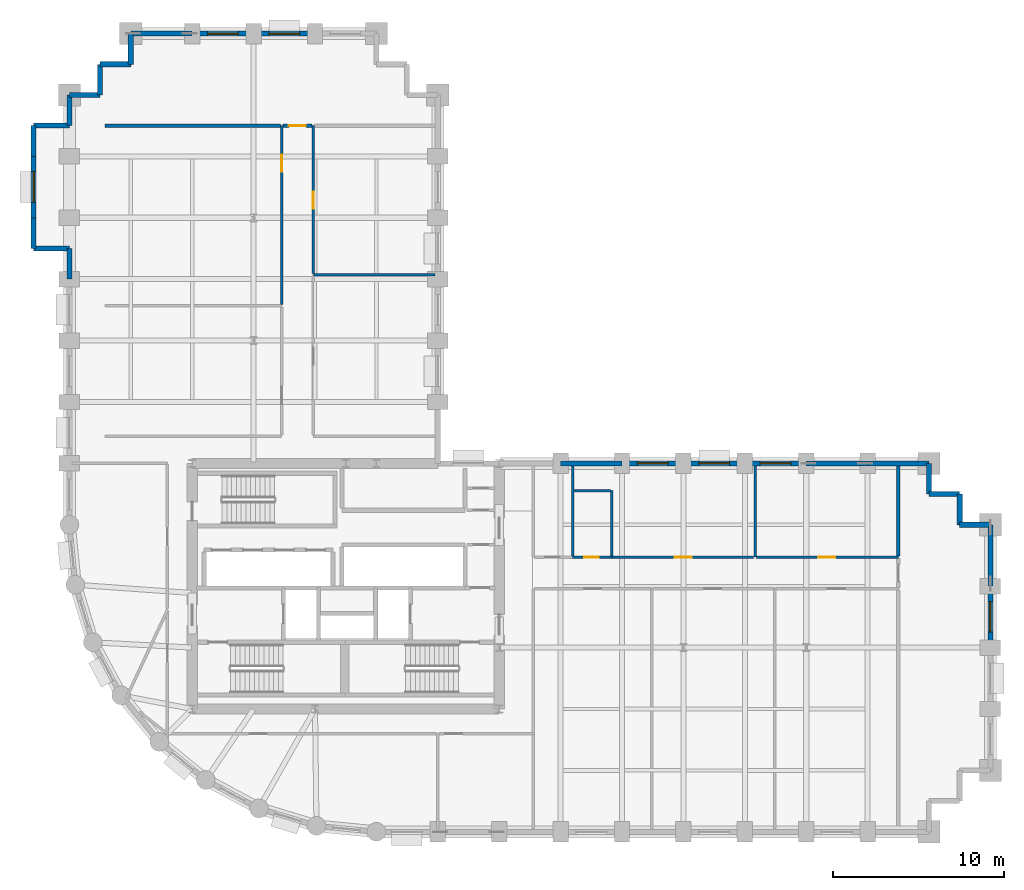
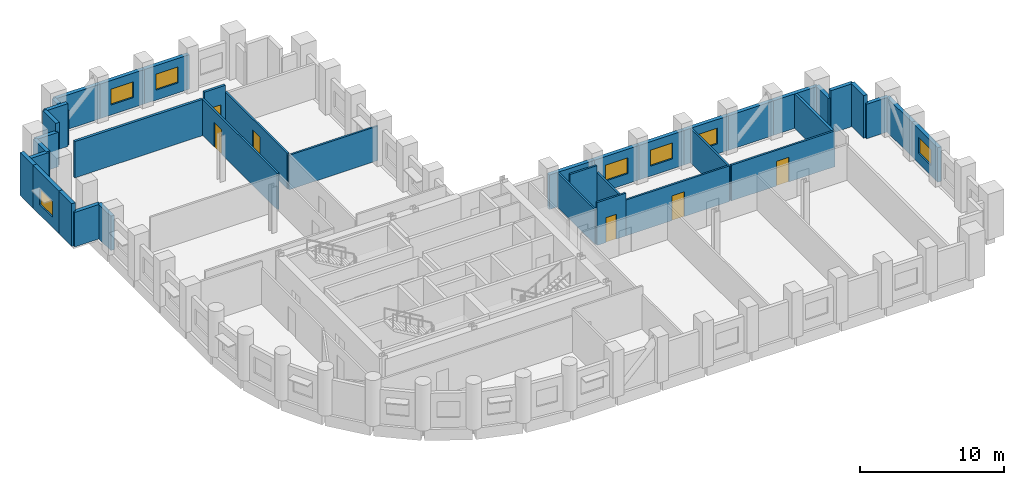
# One storey, part 8 of 11: 39 walls, 7 windows, 6 doors, 13 openings.
"""IFC4 building model written with IfcOpenShell, lengths in metres."""

from ifc_helpers import new_model, si_unit, direction, frame, frame_2d, origin, place, context, subcontext, project, spatial, rectangle, extrude, material, layer, layer_set, type_object, element, fill, save


model = new_model("IFC4")

# Units and contexts
model_context = context("Model", 3, precision=1e-05, world=origin(), true_north=direction((0.0, 1.0)))
body_context = subcontext(model_context, "Body", "Model", "MODEL_VIEW")
ifc_project = project(units=[si_unit("LENGTHUNIT", "METRE"), si_unit("AREAUNIT", "SQUARE_METRE"), si_unit("VOLUMEUNIT", "CUBIC_METRE"), si_unit("PLANEANGLEUNIT", "RADIAN"), si_unit("MASSUNIT", "GRAM", prefix="KILO")], contexts=[model_context])

# Site, building, storey
site_placement = place(None, origin())
site = spatial("IfcSite", under=ifc_project, at=site_placement, CompositionType="ELEMENT")
building_placement = place(site_placement, origin())
building = spatial("IfcBuilding", under=site, at=building_placement, Name="Solnavia Interchange Tower", CompositionType="ELEMENT")
storey_placement = place(building_placement, frame((0.0, 0.0, 47.39990234375)))
storey = spatial("IfcBuildingStorey", under=building, at=storey_placement, Name="L11", CompositionType="ELEMENT", Elevation=47.39990234375)

# Walls
ifc_material_1 = material(Name="Gypsum Acoustic Twin-Stud & Mineral Wool", Category="gypsum")
ifc_layer_1 = layer(ifc_material_1, 0.199951171875)
ifc_layer_set_1 = layer_set([ifc_layer_1], Name="Gypsum Acoustic Twin-Stud & Mineral Wool")
wall_type_1 = type_object("IfcWallType", Name="Wall-ApartmentParty-200", PredefinedType="PARTITIONING", material=ifc_layer_set_1)
wall_1_placement = place(storey_placement, frame((55.800048828125, 19.779052734375, 0.0), z_axis=(0.0, 0.0, 1.0), x_axis=(0.0, 1.0, 0.0)))
element("IfcWall", 1, at=wall_1_placement, inside=storey, type_object=wall_type_1, Name="PTW-L11-25 Interior partition wall", PredefinedType="PARTITIONING", context=body_context, shape_type="SweptSolid", body=[
    extrude(rectangle(XDim=5.266845703125, YDim=0.199951171875, at=frame_2d((2.63330078125, 0.0))), origin(), (0.0, 0.0, 1.0), 2.93017578125),
])
wall_2_placement = place(storey_placement, frame((9.300048828125, 45.0, 0.0), z_axis=(0.0, 0.0, 1.0), x_axis=(1.0, 0.0, 0.0)))
element("IfcWall", 2, at=wall_2_placement, inside=storey, type_object=wall_type_1, Name="PTW-L11-35 Interior partition wall", PredefinedType="PARTITIONING", context=body_context, shape_type="SweptSolid", body=[
    extrude(rectangle(XDim=10.27099609375, YDim=0.199951171875, at=frame_2d((5.135498046875, 0.0))), origin(), (0.0, 0.0, 1.0), 3.080078125),
])

# Wall, opening, door
wall_3_placement = place(storey_placement, frame((19.72900390625, 45.0, 0.0), z_axis=(0.0, 0.0, 1.0), x_axis=(1.0, 0.0, 0.0)))
wall_3 = element("IfcWall", 3, at=wall_3_placement, inside=storey, type_object=wall_type_1, Name="PTW-L11-37 Interior partition wall", PredefinedType="PARTITIONING", context=body_context, shape_type="SweptSolid", body=[
    extrude(rectangle(XDim=1.69189453125, YDim=0.199951171875, at=frame_2d((0.845947265625, 0.0))), origin(), (0.0, 0.0, 1.0), 3.635009765625),
])
opening_1_placement = place(wall_3_placement, frame((0.339111328125, 0.0, 0.0)))
opening_1 = element("IfcOpeningElement", 4, at=opening_1_placement, cuts=wall_3, Name="Opening DR-06", PredefinedType="OPENING", context=body_context, shape_type="SweptSolid", body=[
    extrude(rectangle(XDim=1.0, YDim=2.10009765625, at=frame_2d((0.5, 1.050048828125))), frame((0.0, 0.10986328125, 0.0), z_axis=(0.0, -1.0, 0.0), x_axis=(1.0, 0.0, 0.0)), (0.0, 0.0, 1.0), 0.219970703125),
])
ifc_material_2 = material(Name="Engineered Timber Acoustic Fire Door", Category="wood")
door_type_1 = type_object("IfcDoorType", Name="Door-FlatEntry-1000x2100", OperationType="SINGLE_SWING_LEFT", PredefinedType="DOOR", material=ifc_material_2)
door_1_placement = place(opening_1_placement, origin())
door_1 = element("IfcDoor", 5, at=door_1_placement, inside=storey, type_object=door_type_1, Name="DR-L11-17 Interior room door", OperationType="SINGLE_SWING_LEFT", OverallHeight=2.10009765625, OverallWidth=1.0, PredefinedType="DOOR", context=body_context, shape_type="SweptSolid", body=[
    extrude(rectangle(XDim=1.0, YDim=2.10009765625, at=frame_2d((0.5, 1.050048828125))), frame((0.0, 0.02490234375, 0.0), z_axis=(0.0, -1.0, 0.0), x_axis=(1.0, 0.0, 0.0)), (0.0, 0.0, 1.0), 0.050048828125),
])
fill(opening_1, door_1)

# Wall, opening, window
ifc_material_3 = material(Name="Concrete C40/50", Category="concrete")
ifc_layer_2 = layer(ifc_material_3, 0.300048828125)
ifc_layer_set_2 = layer_set([ifc_layer_2], Name="Concrete C40/50")
wall_type_2 = type_object("IfcWallType", Name="Wall-ExtSpandrel-300", PredefinedType="STANDARD", material=ifc_layer_set_2)
wall_4_placement = place(storey_placement, frame((61.199951171875, 18.0, 0.0), z_axis=(0.0, 0.0, 1.0), x_axis=(0.0, -1.0, 0.0)))
wall_4 = element("IfcWall", 6, at=wall_4_placement, inside=storey, type_object=wall_type_2, Name="EXW-L11-16 Exterior precast spandrel wall", PredefinedType="STANDARD", context=body_context, shape_type="SweptSolid", body=[
    extrude(rectangle(XDim=3.60009765625, YDim=0.300048828125, at=frame_2d((1.800048828125, 0.0))), origin(), (0.0, 0.0, 1.0), 2.93017578125),
])
opening_2_placement = place(wall_4_placement, frame((0.89990234375, 0.0, 0.85009765625)))
opening_2 = element("IfcOpeningElement", 7, at=opening_2_placement, cuts=wall_4, Name="Opening WIN-02", PredefinedType="OPENING", context=body_context, shape_type="SweptSolid", body=[
    extrude(rectangle(XDim=1.800048828125, YDim=1.35009765625, at=frame_2d((0.89990234375, 0.675048828125))), frame((0.0, 0.16015625, 0.0), z_axis=(0.0, -1.0, 0.0), x_axis=(1.0, 0.0, 0.0)), (0.0, 0.0, 1.0), 0.320068359375),
])
ifc_material_4 = material(Name="Thermal-Break Aluminium & Low-E Glass", Category="aluminium")
window_type = type_object("IfcWindowType", Name="Window-Ribbon-1800x1350", PartitioningType="SINGLE_PANEL", PredefinedType="WINDOW", material=ifc_material_4)
window_1_placement = place(opening_2_placement, origin())
window_1 = element("IfcWindow", 8, at=window_1_placement, inside=storey, type_object=window_type, Name="WIN-L11-16 Facade ribbon window", OverallHeight=1.35009765625, OverallWidth=1.800048828125, PartitioningType="SINGLE_PANEL", PredefinedType="WINDOW", context=body_context, shape_type="SweptSolid", body=[
    extrude(rectangle(XDim=1.800048828125, YDim=1.35009765625, at=frame_2d((0.89990234375, 0.675048828125))), frame((0.0, 0.030029296875, 0.0), z_axis=(0.0, -1.0, 0.0), x_axis=(1.0, 0.0, 0.0)), (0.0, 0.0, 1.0), 0.06005859375),
])
fill(opening_2, window_1)

# Walls
wall_5_placement = place(storey_placement, frame((61.199951171875, 21.60009765625, 0.0), z_axis=(0.0, 0.0, 1.0), x_axis=(0.0, -1.0, 0.0)))
element("IfcWall", 9, at=wall_5_placement, inside=storey, type_object=wall_type_2, Name="EXW-L11-17 Exterior precast spandrel wall", PredefinedType="STANDARD", context=body_context, shape_type="SweptSolid", body=[
    extrude(rectangle(XDim=3.60009765625, YDim=0.300048828125, at=frame_2d((1.800048828125, 0.0))), origin(), (0.0, 0.0, 1.0), 2.93017578125),
])
wall_6_placement = place(storey_placement, frame((61.199951171875, 21.60009765625, 0.0), z_axis=(0.0, 0.0, 1.0), x_axis=(-1.0, 0.0, 0.0)))
element("IfcWall", 10, at=wall_6_placement, inside=storey, type_object=wall_type_2, Name="EXW-L11-18 Exterior precast spandrel wall", PredefinedType="STANDARD", context=body_context, shape_type="SweptSolid", body=[
    extrude(rectangle(XDim=1.800048828125, YDim=0.300048828125, at=frame_2d((0.89990234375, 0.0))), origin(), (0.0, 0.0, 1.0), 2.93017578125),
])
for number, where, z_axis, x_axis, name in (
    (11, (59.39990234375, 23.39990234375, 0.0), (0.0, 0.0, 1.0), (0.0, -1.0, 0.0), "EXW-L11-19 Exterior precast spandrel wall"),
    (12, (57.60009765625, 23.39990234375, 0.0), (0.0, 0.0, 1.0), (1.0, 0.0, 0.0), "EXW-L11-20 Exterior precast spandrel wall"),
):
    element("IfcWall", number, at=place(storey_placement, frame(where, z_axis=z_axis, x_axis=x_axis)), inside=storey, type_object=wall_type_2, Name=name, PredefinedType="STANDARD", context=body_context, shape_type="SweptSolid", body=[
        extrude(rectangle(XDim=1.7998046875, YDim=0.300048828125, at=frame_2d((0.89990234375, 0.0))), origin(), (0.0, 0.0, 1.0), 3.635009765625),
    ])
wall_7_placement = place(storey_placement, frame((57.60009765625, 25.199951171875, 0.0), z_axis=(0.0, 0.0, 1.0), x_axis=(0.0, -1.0, 0.0)))
element("IfcWall", 13, at=wall_7_placement, inside=storey, type_object=wall_type_2, Name="EXW-L11-21 Exterior precast spandrel wall", PredefinedType="STANDARD", context=body_context, shape_type="SweptSolid", body=[
    extrude(rectangle(XDim=1.800048828125, YDim=0.300048828125, at=frame_2d((0.89990234375, 0.0))), origin(), (0.0, 0.0, 1.0), 2.93017578125),
])
for number, where, z_axis, x_axis, name in (
    (14, (54.0, 25.199951171875, 0.0), (0.0, 0.0, 1.0), (1.0, 0.0, 0.0), "EXW-L11-22 Exterior precast spandrel wall"),
    (15, (50.39990234375, 25.199951171875, 0.0), (0.0, 0.0, 1.0), (1.0, 0.0, 0.0), "EXW-L11-23 Exterior precast spandrel wall"),
):
    element("IfcWall", number, at=place(storey_placement, frame(where, z_axis=z_axis, x_axis=x_axis)), inside=storey, type_object=wall_type_2, Name=name, PredefinedType="STANDARD", context=body_context, shape_type="SweptSolid", body=[
        extrude(rectangle(XDim=3.60009765625, YDim=0.300048828125, at=frame_2d((1.800048828125, 0.0))), origin(), (0.0, 0.0, 1.0), 2.93017578125),
    ])

# Wall, opening, window
wall_8_placement = place(storey_placement, frame((46.800048828125, 25.199951171875, 0.0), z_axis=(0.0, 0.0, 1.0), x_axis=(1.0, 0.0, 0.0)))
wall_8 = element("IfcWall", 16, at=wall_8_placement, inside=storey, type_object=wall_type_2, Name="EXW-L11-24 Exterior precast spandrel wall", PredefinedType="STANDARD", context=body_context, shape_type="SweptSolid", body=[
    extrude(rectangle(XDim=3.599853515625, YDim=0.300048828125, at=frame_2d((1.7998046875, 0.0))), origin(), (0.0, 0.0, 1.0), 2.93017578125),
])
opening_3_placement = place(wall_8_placement, frame((0.89990234375, 0.0, 0.85009765625)))
opening_3 = element("IfcOpeningElement", 17, at=opening_3_placement, cuts=wall_8, Name="Opening WIN-02", PredefinedType="OPENING", context=body_context, shape_type="SweptSolid", body=[
    extrude(rectangle(XDim=1.800048828125, YDim=1.35009765625, at=frame_2d((0.89990234375, 0.675048828125))), frame((0.0, 0.16015625, 0.0), z_axis=(0.0, -1.0, 0.0), x_axis=(1.0, 0.0, 0.0)), (0.0, 0.0, 1.0), 0.320068359375),
])
window_2_placement = place(opening_3_placement, origin())
window_2 = element("IfcWindow", 18, at=window_2_placement, inside=storey, type_object=window_type, Name="WIN-L11-24 Facade ribbon window", OverallHeight=1.35009765625, OverallWidth=1.800048828125, PartitioningType="SINGLE_PANEL", PredefinedType="WINDOW", context=body_context, shape_type="SweptSolid", body=[
    extrude(rectangle(XDim=1.800048828125, YDim=1.35009765625, at=frame_2d((0.89990234375, 0.675048828125))), frame((0.0, 0.030029296875, 0.0), z_axis=(0.0, -1.0, 0.0), x_axis=(1.0, 0.0, 0.0)), (0.0, 0.0, 1.0), 0.06005859375),
])
fill(opening_3, window_2)

wall_9_placement = place(storey_placement, frame((43.199951171875, 25.199951171875, 0.0), z_axis=(0.0, 0.0, 1.0), x_axis=(1.0, 0.0, 0.0)))
wall_9 = element("IfcWall", 19, at=wall_9_placement, inside=storey, type_object=wall_type_2, Name="EXW-L11-25 Exterior precast spandrel wall", PredefinedType="STANDARD", context=body_context, shape_type="SweptSolid", body=[
    extrude(rectangle(XDim=3.60009765625, YDim=0.300048828125, at=frame_2d((1.800048828125, 0.0))), origin(), (0.0, 0.0, 1.0), 2.93017578125),
])
opening_4_placement = place(wall_9_placement, frame((0.89990234375, 0.0, 0.85009765625)))
opening_4 = element("IfcOpeningElement", 20, at=opening_4_placement, cuts=wall_9, Name="Opening WIN-02", PredefinedType="OPENING", context=body_context, shape_type="SweptSolid", body=[
    extrude(rectangle(XDim=1.800048828125, YDim=1.35009765625, at=frame_2d((0.89990234375, 0.675048828125))), frame((0.0, 0.16015625, 0.0), z_axis=(0.0, -1.0, 0.0), x_axis=(1.0, 0.0, 0.0)), (0.0, 0.0, 1.0), 0.320068359375),
])
window_3_placement = place(opening_4_placement, origin())
window_3 = element("IfcWindow", 21, at=window_3_placement, inside=storey, type_object=window_type, Name="WIN-L11-25 Facade ribbon window", OverallHeight=1.35009765625, OverallWidth=1.800048828125, PartitioningType="SINGLE_PANEL", PredefinedType="WINDOW", context=body_context, shape_type="SweptSolid", body=[
    extrude(rectangle(XDim=1.800048828125, YDim=1.35009765625, at=frame_2d((0.89990234375, 0.675048828125))), frame((0.0, 0.030029296875, 0.0), z_axis=(0.0, -1.0, 0.0), x_axis=(1.0, 0.0, 0.0)), (0.0, 0.0, 1.0), 0.06005859375),
])
fill(opening_4, window_3)

wall_10_placement = place(storey_placement, frame((39.60009765625, 25.199951171875, 0.0), z_axis=(0.0, 0.0, 1.0), x_axis=(1.0, 0.0, 0.0)))
wall_10 = element("IfcWall", 22, at=wall_10_placement, inside=storey, type_object=wall_type_2, Name="EXW-L11-26 Exterior precast spandrel wall", PredefinedType="STANDARD", context=body_context, shape_type="SweptSolid", body=[
    extrude(rectangle(XDim=3.599853515625, YDim=0.300048828125, at=frame_2d((1.7998046875, 0.0))), origin(), (0.0, 0.0, 1.0), 2.93017578125),
])
opening_5_placement = place(wall_10_placement, frame((0.89990234375, 0.0, 0.85009765625)))
opening_5 = element("IfcOpeningElement", 23, at=opening_5_placement, cuts=wall_10, Name="Opening WIN-02", PredefinedType="OPENING", context=body_context, shape_type="SweptSolid", body=[
    extrude(rectangle(XDim=1.800048828125, YDim=1.35009765625, at=frame_2d((0.89990234375, 0.675048828125))), frame((0.0, 0.16015625, 0.0), z_axis=(0.0, -1.0, 0.0), x_axis=(1.0, 0.0, 0.0)), (0.0, 0.0, 1.0), 0.320068359375),
])
window_4_placement = place(opening_5_placement, origin())
window_4 = element("IfcWindow", 24, at=window_4_placement, inside=storey, type_object=window_type, Name="WIN-L11-26 Facade ribbon window", OverallHeight=1.35009765625, OverallWidth=1.800048828125, PartitioningType="SINGLE_PANEL", PredefinedType="WINDOW", context=body_context, shape_type="SweptSolid", body=[
    extrude(rectangle(XDim=1.800048828125, YDim=1.35009765625, at=frame_2d((0.89990234375, 0.675048828125))), frame((0.0, 0.030029296875, 0.0), z_axis=(0.0, -1.0, 0.0), x_axis=(1.0, 0.0, 0.0)), (0.0, 0.0, 1.0), 0.06005859375),
])
fill(opening_5, window_4)

# Wall
wall_11_placement = place(storey_placement, frame((36.0, 25.199951171875, 0.0), z_axis=(0.0, 0.0, 1.0), x_axis=(1.0, 0.0, 0.0)))
element("IfcWall", 25, at=wall_11_placement, inside=storey, type_object=wall_type_2, Name="EXW-L11-27 Exterior precast spandrel wall", PredefinedType="STANDARD", context=body_context, shape_type="SweptSolid", body=[
    extrude(rectangle(XDim=3.60009765625, YDim=0.300048828125, at=frame_2d((1.800048828125, 0.0))), origin(), (0.0, 0.0, 1.0), 2.93017578125),
])

# Wall, opening, window
wall_12_placement = place(storey_placement, frame((18.0, 50.39990234375, 0.0), z_axis=(0.0, 0.0, 1.0), x_axis=(1.0, 0.0, 0.0)))
wall_12 = element("IfcWall", 26, at=wall_12_placement, inside=storey, type_object=wall_type_2, Name="EXW-L11-41 Exterior precast spandrel wall", PredefinedType="STANDARD", context=body_context, shape_type="SweptSolid", body=[
    extrude(rectangle(XDim=3.60009765625, YDim=0.300048828125, at=frame_2d((1.800048828125, 0.0))), origin(), (0.0, 0.0, 1.0), 2.93017578125),
])
opening_6_placement = place(wall_12_placement, frame((0.89990234375, 0.0, 0.85009765625)))
opening_6 = element("IfcOpeningElement", 27, at=opening_6_placement, cuts=wall_12, Name="Opening WIN-02", PredefinedType="OPENING", context=body_context, shape_type="SweptSolid", body=[
    extrude(rectangle(XDim=1.800048828125, YDim=1.35009765625, at=frame_2d((0.89990234375, 0.675048828125))), frame((0.0, 0.16015625, 0.0), z_axis=(0.0, -1.0, 0.0), x_axis=(1.0, 0.0, 0.0)), (0.0, 0.0, 1.0), 0.320068359375),
])
window_5_placement = place(opening_6_placement, origin())
window_5 = element("IfcWindow", 28, at=window_5_placement, inside=storey, type_object=window_type, Name="WIN-L11-41 Facade ribbon window", OverallHeight=1.35009765625, OverallWidth=1.800048828125, PartitioningType="SINGLE_PANEL", PredefinedType="WINDOW", context=body_context, shape_type="SweptSolid", body=[
    extrude(rectangle(XDim=1.800048828125, YDim=1.35009765625, at=frame_2d((0.89990234375, 0.675048828125))), frame((0.0, 0.030029296875, 0.0), z_axis=(0.0, -1.0, 0.0), x_axis=(1.0, 0.0, 0.0)), (0.0, 0.0, 1.0), 0.06005859375),
])
fill(opening_6, window_5)

wall_13_placement = place(storey_placement, frame((14.39990234375, 50.39990234375, 0.0), z_axis=(0.0, 0.0, 1.0), x_axis=(1.0, 0.0, 0.0)))
wall_13 = element("IfcWall", 29, at=wall_13_placement, inside=storey, type_object=wall_type_2, Name="EXW-L11-42 Exterior precast spandrel wall", PredefinedType="STANDARD", context=body_context, shape_type="SweptSolid", body=[
    extrude(rectangle(XDim=3.60009765625, YDim=0.300048828125, at=frame_2d((1.800048828125, 0.0))), origin(), (0.0, 0.0, 1.0), 2.93017578125),
])
opening_7_placement = place(wall_13_placement, frame((0.89990234375, 0.0, 0.85009765625)))
opening_7 = element("IfcOpeningElement", 30, at=opening_7_placement, cuts=wall_13, Name="Opening WIN-02", PredefinedType="OPENING", context=body_context, shape_type="SweptSolid", body=[
    extrude(rectangle(XDim=1.800048828125, YDim=1.35009765625, at=frame_2d((0.89990234375, 0.675048828125))), frame((0.0, 0.16015625, 0.0), z_axis=(0.0, -1.0, 0.0), x_axis=(1.0, 0.0, 0.0)), (0.0, 0.0, 1.0), 0.320068359375),
])
window_6_placement = place(opening_7_placement, origin())
window_6 = element("IfcWindow", 31, at=window_6_placement, inside=storey, type_object=window_type, Name="WIN-L11-42 Facade ribbon window", OverallHeight=1.35009765625, OverallWidth=1.800048828125, PartitioningType="SINGLE_PANEL", PredefinedType="WINDOW", context=body_context, shape_type="SweptSolid", body=[
    extrude(rectangle(XDim=1.800048828125, YDim=1.35009765625, at=frame_2d((0.89990234375, 0.675048828125))), frame((0.0, 0.030029296875, 0.0), z_axis=(0.0, -1.0, 0.0), x_axis=(1.0, 0.0, 0.0)), (0.0, 0.0, 1.0), 0.06005859375),
])
fill(opening_7, window_6)

# Walls
wall_14_placement = place(storey_placement, frame((10.800048828125, 50.39990234375, 0.0), z_axis=(0.0, 0.0, 1.0), x_axis=(1.0, 0.0, 0.0)))
element("IfcWall", 32, at=wall_14_placement, inside=storey, type_object=wall_type_2, Name="EXW-L11-43 Exterior precast spandrel wall", PredefinedType="STANDARD", context=body_context, shape_type="SweptSolid", body=[
    extrude(rectangle(XDim=3.599853515625, YDim=0.300048828125, at=frame_2d((1.7998046875, 0.0))), origin(), (0.0, 0.0, 1.0), 2.93017578125),
])
wall_15_placement = place(storey_placement, frame((10.800048828125, 48.60009765625, 0.0), z_axis=(0.0, 0.0, 1.0), x_axis=(0.0, 1.0, 0.0)))
element("IfcWall", 33, at=wall_15_placement, inside=storey, type_object=wall_type_2, Name="EXW-L11-44 Exterior precast spandrel wall", PredefinedType="STANDARD", context=body_context, shape_type="SweptSolid", body=[
    extrude(rectangle(XDim=1.7998046875, YDim=0.300048828125, at=frame_2d((0.89990234375, 0.0))), origin(), (0.0, 0.0, 1.0), 2.93017578125),
])
for number, where, z_axis, x_axis, name in (
    (34, (9.0, 48.60009765625, 0.0), (0.0, 0.0, 1.0), (1.0, 0.0, 0.0), "EXW-L11-45 Exterior precast spandrel wall"),
    (35, (9.0, 46.800048828125, 0.0), (0.0, 0.0, 1.0), (0.0, 1.0, 0.0), "EXW-L11-46 Exterior precast spandrel wall"),
):
    element("IfcWall", number, at=place(storey_placement, frame(where, z_axis=z_axis, x_axis=x_axis)), inside=storey, type_object=wall_type_2, Name=name, PredefinedType="STANDARD", context=body_context, shape_type="SweptSolid", body=[
        extrude(rectangle(XDim=1.800048828125, YDim=0.300048828125, at=frame_2d((0.89990234375, 0.0))), origin(), (0.0, 0.0, 1.0), 3.635009765625),
    ])
for number, where, z_axis, x_axis, name in (
    (36, (7.199951171875, 46.800048828125, 0.0), (0.0, 0.0, 1.0), (1.0, 0.0, 0.0), "EXW-L11-47 Exterior precast spandrel wall"),
    (37, (7.199951171875, 45.0, 0.0), (0.0, 0.0, 1.0), (0.0, 1.0, 0.0), "EXW-L11-48 Exterior precast spandrel wall"),
):
    element("IfcWall", number, at=place(storey_placement, frame(where, z_axis=z_axis, x_axis=x_axis)), inside=storey, type_object=wall_type_2, Name=name, PredefinedType="STANDARD", context=body_context, shape_type="SweptSolid", body=[
        extrude(rectangle(XDim=1.800048828125, YDim=0.300048828125, at=frame_2d((0.89990234375, 0.0))), origin(), (0.0, 0.0, 1.0), 2.93017578125),
    ])
wall_16_placement = place(storey_placement, frame((5.10009765625, 45.0, 0.0), z_axis=(0.0, 0.0, 1.0), x_axis=(1.0, 0.0, 0.0)))
element("IfcWall", 38, at=wall_16_placement, inside=storey, type_object=wall_type_2, Name="EXW-L11-49 Exterior precast spandrel wall", PredefinedType="STANDARD", context=body_context, shape_type="SweptSolid", body=[
    extrude(rectangle(XDim=2.099853515625, YDim=0.300048828125, at=frame_2d((1.0498046875, 0.0))), origin(), (0.0, 0.0, 1.0), 2.93017578125),
])
wall_17_placement = place(storey_placement, frame((5.10009765625, 43.199951171875, 0.0), z_axis=(0.0, 0.0, 1.0), x_axis=(0.0, 1.0, 0.0)))
element("IfcWall", 39, at=wall_17_placement, inside=storey, type_object=wall_type_2, Name="EXW-L11-50 Exterior precast spandrel wall", PredefinedType="STANDARD", context=body_context, shape_type="SweptSolid", body=[
    extrude(rectangle(XDim=1.800048828125, YDim=0.300048828125, at=frame_2d((0.89990234375, 0.0))), origin(), (0.0, 0.0, 1.0), 3.635009765625),
])

# Wall, opening, window
wall_18_placement = place(storey_placement, frame((5.10009765625, 39.60009765625, 0.0), z_axis=(0.0, 0.0, 1.0), x_axis=(0.0, 1.0, 0.0)))
wall_18 = element("IfcWall", 40, at=wall_18_placement, inside=storey, type_object=wall_type_2, Name="EXW-L11-51 Exterior precast spandrel wall", PredefinedType="STANDARD", context=body_context, shape_type="SweptSolid", body=[
    extrude(rectangle(XDim=3.599853515625, YDim=0.300048828125, at=frame_2d((1.7998046875, 0.0))), origin(), (0.0, 0.0, 1.0), 3.635009765625),
])
opening_8_placement = place(wall_18_placement, frame((0.89990234375, 0.0, 0.85009765625)))
opening_8 = element("IfcOpeningElement", 41, at=opening_8_placement, cuts=wall_18, Name="Opening WIN-02", PredefinedType="OPENING", context=body_context, shape_type="SweptSolid", body=[
    extrude(rectangle(XDim=1.800048828125, YDim=1.35009765625, at=frame_2d((0.89990234375, 0.675048828125))), frame((0.0, 0.16015625, 0.0), z_axis=(0.0, -1.0, 0.0), x_axis=(1.0, 0.0, 0.0)), (0.0, 0.0, 1.0), 0.320068359375),
])
window_7_placement = place(opening_8_placement, origin())
window_7 = element("IfcWindow", 42, at=window_7_placement, inside=storey, type_object=window_type, Name="WIN-L11-51 Facade ribbon window", OverallHeight=1.35009765625, OverallWidth=1.800048828125, PartitioningType="SINGLE_PANEL", PredefinedType="WINDOW", context=body_context, shape_type="SweptSolid", body=[
    extrude(rectangle(XDim=1.800048828125, YDim=1.35009765625, at=frame_2d((0.89990234375, 0.675048828125))), frame((0.0, 0.030029296875, 0.0), z_axis=(0.0, -1.0, 0.0), x_axis=(1.0, 0.0, 0.0)), (0.0, 0.0, 1.0), 0.06005859375),
])
fill(opening_8, window_7)

# Walls
wall_19_placement = place(storey_placement, frame((5.10009765625, 37.800048828125, 0.0), z_axis=(0.0, 0.0, 1.0), x_axis=(0.0, 1.0, 0.0)))
element("IfcWall", 43, at=wall_19_placement, inside=storey, type_object=wall_type_2, Name="EXW-L11-52 Exterior precast spandrel wall", PredefinedType="STANDARD", context=body_context, shape_type="SweptSolid", body=[
    extrude(rectangle(XDim=1.800048828125, YDim=0.300048828125, at=frame_2d((0.89990234375, 0.0))), origin(), (0.0, 0.0, 1.0), 3.635009765625),
])
wall_20_placement = place(storey_placement, frame((5.10009765625, 37.800048828125, 0.0), z_axis=(0.0, 0.0, 1.0), x_axis=(1.0, 0.0, 0.0)))
element("IfcWall", 44, at=wall_20_placement, inside=storey, type_object=wall_type_2, Name="EXW-L11-53 Exterior precast spandrel wall", PredefinedType="STANDARD", context=body_context, shape_type="SweptSolid", body=[
    extrude(rectangle(XDim=2.099853515625, YDim=0.300048828125, at=frame_2d((1.0498046875, 0.0))), origin(), (0.0, 0.0, 1.0), 2.93017578125),
])
wall_21_placement = place(storey_placement, frame((7.199951171875, 36.0, 0.0), z_axis=(0.0, 0.0, 1.0), x_axis=(0.0, 1.0, 0.0)))
element("IfcWall", 45, at=wall_21_placement, inside=storey, type_object=wall_type_2, Name="EXW-L11-54 Exterior precast spandrel wall", PredefinedType="STANDARD", context=body_context, shape_type="SweptSolid", body=[
    extrude(rectangle(XDim=1.800048828125, YDim=0.300048828125, at=frame_2d((0.89990234375, 0.0))), origin(), (0.0, 0.0, 1.0), 2.93017578125),
])
ifc_material_5 = material(Name="Gypsum Plasterboard & Steel Stud", Category="steel")
ifc_layer_3 = layer(ifc_material_5, 0.14990234375)
ifc_layer_set_3 = layer_set([ifc_layer_3], Name="Gypsum Plasterboard & Steel Stud")
wall_type_3 = type_object("IfcWallType", Name="Wall-Partition-150", PredefinedType="PARTITIONING", material=ifc_layer_set_3)
wall_22_placement = place(storey_placement, frame((47.39990234375, 19.699951171875, 0.0), z_axis=(0.0, 0.0, 1.0), x_axis=(0.0, 1.0, 0.0)))
element("IfcWall", 46, at=wall_22_placement, inside=storey, type_object=wall_type_3, Name="PTW-L11-21 Interior partition wall", PredefinedType="PARTITIONING", context=body_context, shape_type="SweptSolid", body=[
    extrude(rectangle(XDim=5.345947265625, YDim=0.14990234375, at=frame_2d((2.6728515625, 0.0))), origin(), (0.0, 0.0, 1.0), 2.93017578125),
])

# Wall, opening, door
wall_23_placement = place(storey_placement, frame((39.0, 19.699951171875, 0.0), z_axis=(0.0, 0.0, 1.0), x_axis=(1.0, 0.0, 0.0)))
wall_23 = element("IfcWall", 47, at=wall_23_placement, inside=storey, type_object=wall_type_3, Name="PTW-L11-22 Interior partition wall", PredefinedType="PARTITIONING", context=body_context, shape_type="SweptSolid", body=[
    extrude(rectangle(XDim=8.321044921875, YDim=0.14990234375, at=frame_2d((4.16064453125, 0.0))), origin(), (0.0, 0.0, 1.0), 3.0400390625),
])
opening_9_placement = place(wall_23_placement, frame((3.699951171875, 0.0, 0.0)))
opening_9 = element("IfcOpeningElement", 48, at=opening_9_placement, cuts=wall_23, Name="Opening DR-07", PredefinedType="OPENING", context=body_context, shape_type="SweptSolid", body=[
    extrude(rectangle(XDim=1.0, YDim=2.10009765625, at=frame_2d((0.5, 1.050048828125))), frame((0.0, 0.0849609375, 0.0), z_axis=(0.0, -1.0, 0.0), x_axis=(1.0, 0.0, 0.0)), (0.0, 0.0, 1.0), 0.169921875),
])
ifc_material_6 = material(Name="Timber & Acoustic Glazed Office Door", Category="wood")
door_type_2 = type_object("IfcDoorType", Name="Door-Office-1000x2100", OperationType="SINGLE_SWING_RIGHT", PredefinedType="DOOR", material=ifc_material_6)
door_2_placement = place(opening_9_placement, origin())
door_2 = element("IfcDoor", 49, at=door_2_placement, inside=storey, type_object=door_type_2, Name="DR-L11-10 Interior room door", OperationType="SINGLE_SWING_RIGHT", OverallHeight=2.10009765625, OverallWidth=1.0, PredefinedType="DOOR", context=body_context, shape_type="SweptSolid", body=[
    extrude(rectangle(XDim=1.0, YDim=2.10009765625, at=frame_2d((0.5, 1.050048828125))), frame((0.0, 0.02490234375, 0.0), z_axis=(0.0, -1.0, 0.0), x_axis=(1.0, 0.0, 0.0)), (0.0, 0.0, 1.0), 0.050048828125),
])
fill(opening_9, door_2)

wall_24_placement = place(storey_placement, frame((47.47900390625, 19.699951171875, 0.0), z_axis=(0.0, 0.0, 1.0), x_axis=(1.0, 0.0, 0.0)))
wall_24 = element("IfcWall", 50, at=wall_24_placement, inside=storey, type_object=wall_type_3, Name="PTW-L11-23 Interior partition wall", PredefinedType="PARTITIONING", context=body_context, shape_type="SweptSolid", body=[
    extrude(rectangle(XDim=8.321044921875, YDim=0.14990234375, at=frame_2d((4.16064453125, 0.0))), origin(), (0.0, 0.0, 1.0), 3.0400390625),
])
opening_10_placement = place(wall_24_placement, frame((3.62109375, 0.0, 0.0)))
opening_10 = element("IfcOpeningElement", 51, at=opening_10_placement, cuts=wall_24, Name="Opening DR-07", PredefinedType="OPENING", context=body_context, shape_type="SweptSolid", body=[
    extrude(rectangle(XDim=1.0, YDim=2.10009765625, at=frame_2d((0.5, 1.050048828125))), frame((0.0, 0.0849609375, 0.0), z_axis=(0.0, -1.0, 0.0), x_axis=(1.0, 0.0, 0.0)), (0.0, 0.0, 1.0), 0.169921875),
])
door_3_placement = place(opening_10_placement, origin())
door_3 = element("IfcDoor", 52, at=door_3_placement, inside=storey, type_object=door_type_2, Name="DR-L11-11 Interior room door", OperationType="SINGLE_SWING_RIGHT", OverallHeight=2.10009765625, OverallWidth=1.0, PredefinedType="DOOR", context=body_context, shape_type="SweptSolid", body=[
    extrude(rectangle(XDim=1.0, YDim=2.10009765625, at=frame_2d((0.5, 1.050048828125))), frame((0.0, 0.02490234375, 0.0), z_axis=(0.0, -1.0, 0.0), x_axis=(1.0, 0.0, 0.0)), (0.0, 0.0, 1.0), 0.050048828125),
])
fill(opening_10, door_3)

wall_25_placement = place(storey_placement, frame((19.64990234375, 34.51904296875, 0.0), z_axis=(0.0, 0.0, 1.0), x_axis=(0.0, 1.0, 0.0)))
wall_25 = element("IfcWall", 53, at=wall_25_placement, inside=storey, type_object=wall_type_3, Name="PTW-L11-30 Interior partition wall", PredefinedType="PARTITIONING", context=body_context, shape_type="SweptSolid", body=[
    extrude(rectangle(XDim=10.48095703125, YDim=0.14990234375, at=frame_2d((5.240478515625, 0.0))), origin(), (0.0, 0.0, 1.0), 3.080078125),
])
opening_11_placement = place(wall_25_placement, frame((7.76708984375, 0.0, 0.0)))
opening_11 = element("IfcOpeningElement", 54, at=opening_11_placement, cuts=wall_25, Name="Opening DR-07", PredefinedType="OPENING", context=body_context, shape_type="SweptSolid", body=[
    extrude(rectangle(XDim=1.0, YDim=2.10009765625, at=frame_2d((0.5, 1.050048828125))), frame((0.0, 0.0849609375, 0.0), z_axis=(0.0, -1.0, 0.0), x_axis=(1.0, 0.0, 0.0)), (0.0, 0.0, 1.0), 0.169921875),
])
door_4_placement = place(opening_11_placement, origin())
door_4 = element("IfcDoor", 55, at=door_4_placement, inside=storey, type_object=door_type_2, Name="DR-L11-14 Interior room door", OperationType="SINGLE_SWING_RIGHT", OverallHeight=2.10009765625, OverallWidth=1.0, PredefinedType="DOOR", context=body_context, shape_type="SweptSolid", body=[
    extrude(rectangle(XDim=1.0, YDim=2.10009765625, at=frame_2d((0.5, 1.050048828125))), frame((0.0, 0.02490234375, 0.0), z_axis=(0.0, -1.0, 0.0), x_axis=(1.0, 0.0, 0.0)), (0.0, 0.0, 1.0), 0.050048828125),
])
fill(opening_11, door_4)

# Wall
wall_26_placement = place(storey_placement, frame((21.5, 36.260009765625, 0.0), z_axis=(0.0, 0.0, 1.0), x_axis=(1.0, 0.0, 0.0)))
element("IfcWall", 56, at=wall_26_placement, inside=storey, type_object=wall_type_3, Name="PTW-L11-32 Interior partition wall", PredefinedType="PARTITIONING", context=body_context, shape_type="SweptSolid", body=[
    extrude(rectangle(XDim=7.14599609375, YDim=0.14990234375, at=frame_2d((3.572998046875, 0.0))), origin(), (0.0, 0.0, 1.0), 2.93017578125),
])

# Wall, opening, door
wall_27_placement = place(storey_placement, frame((21.5, 36.339111328125, 0.0), z_axis=(0.0, 0.0, 1.0), x_axis=(0.0, 1.0, 0.0)))
wall_27 = element("IfcWall", 57, at=wall_27_placement, inside=storey, type_object=wall_type_3, Name="PTW-L11-34 Interior partition wall", PredefinedType="PARTITIONING", context=body_context, shape_type="SweptSolid", body=[
    extrude(rectangle(XDim=8.660888671875, YDim=0.14990234375, at=frame_2d((4.33056640625, 0.0))), origin(), (0.0, 0.0, 1.0), 3.030029296875),
])
opening_12_placement = place(wall_27_placement, frame((3.791015625, 0.0, 0.0)))
opening_12 = element("IfcOpeningElement", 58, at=opening_12_placement, cuts=wall_27, Name="Opening DR-07", PredefinedType="OPENING", context=body_context, shape_type="SweptSolid", body=[
    extrude(rectangle(XDim=1.0, YDim=2.10009765625, at=frame_2d((0.5, 1.050048828125))), frame((0.0, 0.0849609375, 0.0), z_axis=(0.0, -1.0, 0.0), x_axis=(1.0, 0.0, 0.0)), (0.0, 0.0, 1.0), 0.169921875),
])
door_5_placement = place(opening_12_placement, origin())
door_5 = element("IfcDoor", 59, at=door_5_placement, inside=storey, type_object=door_type_2, Name="DR-L11-16 Interior room door", OperationType="SINGLE_SWING_LEFT", OverallHeight=2.10009765625, OverallWidth=1.0, PredefinedType="DOOR", context=body_context, shape_type="SweptSolid", body=[
    extrude(rectangle(XDim=1.0, YDim=2.10009765625, at=frame_2d((0.5, 1.050048828125))), frame((0.0, 0.02490234375, 0.0), z_axis=(0.0, -1.0, 0.0), x_axis=(1.0, 0.0, 0.0)), (0.0, 0.0, 1.0), 0.050048828125),
])
fill(opening_12, door_5)

# Wall
ifc_material_7 = material(Name="Moisture-Resistant Gypsum & Steel Stud", Category="steel")
ifc_layer_4 = layer(ifc_material_7, 0.14990234375)
ifc_layer_set_4 = layer_set([ifc_layer_4], Name="Moisture-Resistant Gypsum & Steel Stud")
wall_type_4 = type_object("IfcWallType", Name="Wall-WetRoom-150", PredefinedType="PARTITIONING", material=ifc_layer_set_4)
wall_28_placement = place(storey_placement, frame((36.699951171875, 19.779052734375, 0.0), z_axis=(0.0, 0.0, 1.0), x_axis=(0.0, 1.0, 0.0)))
element("IfcWall", 60, at=wall_28_placement, inside=storey, type_object=wall_type_4, Name="PTW-L11-03 Interior partition wall", PredefinedType="PARTITIONING", context=body_context, shape_type="SweptSolid", body=[
    extrude(rectangle(XDim=5.266845703125, YDim=0.14990234375, at=frame_2d((2.63330078125, 0.0))), origin(), (0.0, 0.0, 1.0), 2.93017578125),
])

# Wall, opening, door
wall_29_placement = place(storey_placement, frame((36.699951171875, 19.699951171875, 0.0), z_axis=(0.0, 0.0, 1.0), x_axis=(1.0, 0.0, 0.0)))
wall_29 = element("IfcWall", 61, at=wall_29_placement, inside=storey, type_object=wall_type_4, Name="PTW-L11-04 Interior partition wall", PredefinedType="PARTITIONING", context=body_context, shape_type="SweptSolid", body=[
    extrude(rectangle(XDim=2.300048828125, YDim=0.14990234375, at=frame_2d((1.14990234375, 0.0))), origin(), (0.0, 0.0, 1.0), 3.635009765625),
])
opening_13_placement = place(wall_29_placement, frame((0.697021484375, 0.0, 0.0)))
opening_13 = element("IfcOpeningElement", 62, at=opening_13_placement, cuts=wall_29, Name="Opening DR-10", PredefinedType="OPENING", context=body_context, shape_type="SweptSolid", body=[
    extrude(rectangle(XDim=0.85009765625, YDim=2.10009765625, at=frame_2d((0.425048828125, 1.050048828125))), frame((0.0, 0.0849609375, 0.0), z_axis=(0.0, -1.0, 0.0), x_axis=(1.0, 0.0, 0.0)), (0.0, 0.0, 1.0), 0.169921875),
])
ifc_material_8 = material(Name="Moisture-Resistant Timber Door", Category="wood")
door_type_3 = type_object("IfcDoorType", Name="Door-Bathroom-850x2100", OperationType="SINGLE_SWING_RIGHT", PredefinedType="DOOR", material=ifc_material_8)
door_6_placement = place(opening_13_placement, origin())
door_6 = element("IfcDoor", 63, at=door_6_placement, inside=storey, type_object=door_type_3, Name="DR-L11-02 Interior room door", OperationType="SINGLE_SWING_RIGHT", OverallHeight=2.10009765625, OverallWidth=0.85009765625, PredefinedType="DOOR", context=body_context, shape_type="SweptSolid", body=[
    extrude(rectangle(XDim=0.85009765625, YDim=2.10009765625, at=frame_2d((0.425048828125, 1.050048828125))), frame((0.0, 0.02490234375, 0.0), z_axis=(0.0, -1.0, 0.0), x_axis=(1.0, 0.0, 0.0)), (0.0, 0.0, 1.0), 0.050048828125),
])
fill(opening_13, door_6)

# Walls
wall_30_placement = place(storey_placement, frame((39.0, 19.779052734375, 0.0), z_axis=(0.0, 0.0, 1.0), x_axis=(0.0, 1.0, 0.0)))
element("IfcWall", 64, at=wall_30_placement, inside=storey, type_object=wall_type_4, Name="PTW-L11-05 Interior partition wall", PredefinedType="PARTITIONING", context=body_context, shape_type="SweptSolid", body=[
    extrude(rectangle(XDim=3.821044921875, YDim=0.14990234375, at=frame_2d((1.91064453125, 0.0))), origin(), (0.0, 0.0, 1.0), 3.030029296875),
])
wall_31_placement = place(storey_placement, frame((36.779052734375, 23.60009765625, 0.0), z_axis=(0.0, 0.0, 1.0), x_axis=(1.0, 0.0, 0.0)))
element("IfcWall", 65, at=wall_31_placement, inside=storey, type_object=wall_type_4, Name="PTW-L11-06 Interior partition wall", PredefinedType="PARTITIONING", context=body_context, shape_type="SweptSolid", body=[
    extrude(rectangle(XDim=2.141845703125, YDim=0.14990234375, at=frame_2d((1.07080078125, 0.0))), origin(), (0.0, 0.0, 1.0), 3.635009765625),
])

save(model, "model.ifc")
